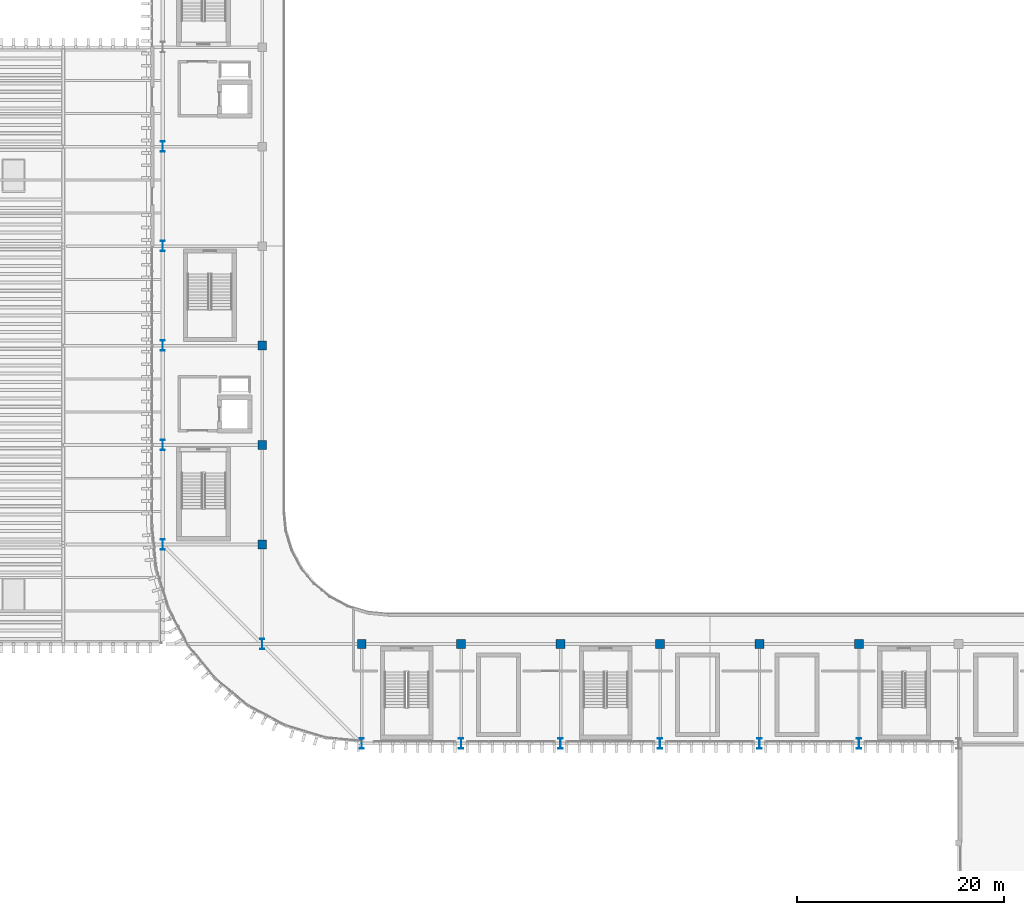
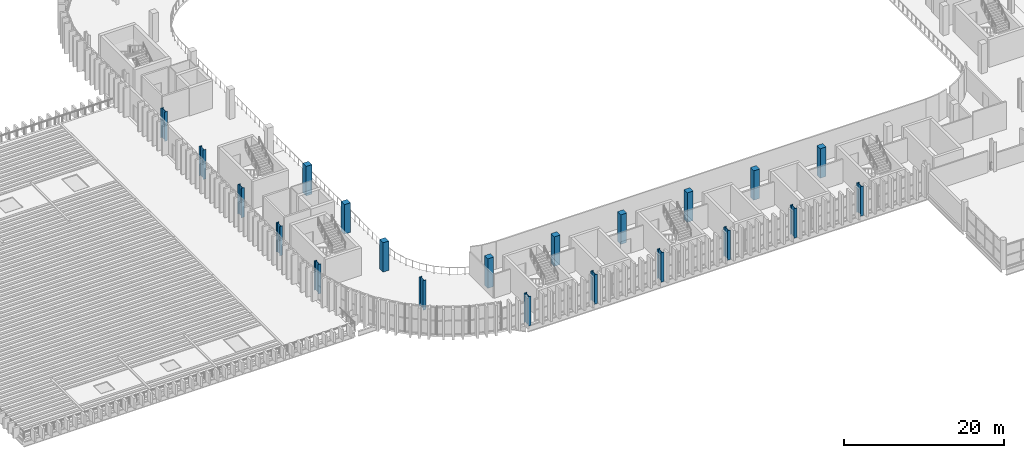
# One storey, part 1 of 92: 21 columns.
"""IFC4 building model written with IfcOpenShell, lengths in metres."""

from ifc_helpers import new_model, si_unit, direction, frame, origin, origin_2d, place, context, subcontext, project, spatial, rectangle, i_section, extrude, material, material_profile, profile_set, type_object, element, save


model = new_model("IFC4")

# Units and contexts
model_context = context("Model", 3, precision=1e-05, world=origin(), true_north=direction((0.0, 1.0)))
body_context = subcontext(model_context, "Body", "Model", "MODEL_VIEW")
ifc_project = project(units=[si_unit("LENGTHUNIT", "METRE"), si_unit("AREAUNIT", "SQUARE_METRE"), si_unit("VOLUMEUNIT", "CUBIC_METRE"), si_unit("PLANEANGLEUNIT", "RADIAN"), si_unit("MASSUNIT", "GRAM", prefix="KILO")], contexts=[model_context])

# Site, building, storey
site_placement = place(None, origin())
site = spatial("IfcSite", under=ifc_project, at=site_placement, CompositionType="ELEMENT")
building_placement = place(site_placement, origin())
building = spatial("IfcBuilding", under=site, at=building_placement, Name="Caelomonte Colonnade Arena", CompositionType="ELEMENT")
storey_placement = place(building_placement, frame((0.0, 0.0, 9.60009765625)))
storey = spatial("IfcBuildingStorey", under=building, at=storey_placement, Name="L02", CompositionType="ELEMENT", Elevation=9.60009765625)

# Columns
ifc_material_1 = material(Name="Concrete C50/60", Category="concrete")
ifc_material_profile_1 = material_profile(ifc_material_1, rectangle(XDim=0.85009765625, YDim=0.85009765625, at=origin_2d()), Name="RC850X850")
ifc_profile_set_1 = profile_set([ifc_material_profile_1], Name="Concrete C50/60")
column_type_1 = type_object("IfcColumnType", Name="STR-COL-RC85", PredefinedType="COLUMN", material=ifc_profile_set_1)
for number, where, z_axis, x_axis, name in (
    (1, (67.199951171875, 38.39990234375, 0.0), (0.0, 0.0, 1.0), (1.0, 0.0, 0.0), "L02 column (67.2, 38.4)"),
    (2, (67.199951171875, 48.0, 0.0), (0.0, 0.0, 1.0), (1.0, 0.0, 0.0), "L02 column (67.2, 48.0)"),
    (3, (67.199951171875, 57.60009765625, 0.0), (0.0, 0.0, 1.0), (1.0, 0.0, 0.0), "L02 column (67.2, 57.6)"),
    (4, (76.800048828125, 28.800048828125, 0.0), (0.0, 0.0, 1.0), (1.0, 0.0, 0.0), "L02 column (76.8, 28.8)"),
    (5, (86.39990234375, 28.800048828125, 0.0), (0.0, 0.0, 1.0), (1.0, 0.0, 0.0), "L02 column (86.4, 28.8)"),
    (6, (96.0, 28.800048828125, 0.0), (0.0, 0.0, 1.0), (1.0, 0.0, 0.0), "L02 column (96.0, 28.8)"),
    (7, (105.60009765625, 28.800048828125, 0.0), (0.0, 0.0, 1.0), (1.0, 0.0, 0.0), "L02 column (105.6, 28.8)"),
    (8, (115.199951171875, 28.800048828125, 0.0), (0.0, 0.0, 1.0), (1.0, 0.0, 0.0), "L02 column (115.2, 28.8)"),
    (9, (124.800048828125, 28.800048828125, 0.0), (0.0, 0.0, 1.0), (1.0, 0.0, 0.0), "L02 column (124.8, 28.8)"),
):
    element("IfcColumn", number, at=place(storey_placement, frame(where, z_axis=z_axis, x_axis=x_axis)), inside=storey, type_object=column_type_1, Name=name, PredefinedType="COLUMN", context=body_context, shape_type="SweptSolid", body=[
        extrude(rectangle(XDim=0.85009765625, YDim=0.85009765625, at=origin_2d()), origin(), (0.0, 0.0, 1.0), 4.5),
    ])
ifc_material_2 = material(Name="Wide-flange steel ASTM A992 Grade 50", Category="steel")
ifc_material_profile_2 = material_profile(ifc_material_2, i_section(OverallWidth=0.419189453125, OverallDepth=1.010986328125, WebThickness=0.023681640625, FlangeThickness=0.0419921875, FilletRadius=0.030517578125, at=origin_2d()), Name="W40X297")
ifc_profile_set_2 = profile_set([ifc_material_profile_2], Name="Wide-flange steel ASTM A992 Grade 50")
column_type_2 = type_object("IfcColumnType", Name="STR-COL-W40B", PredefinedType="COLUMN", material=ifc_profile_set_2)
for number, where, z_axis, x_axis, name in (
    (10, (57.60009765625, 38.39990234375, 0.0), (0.0, 0.0, 1.0), (1.0, 0.0, 0.0), "L02 column (57.6, 38.4)"),
    (11, (57.60009765625, 48.0, 0.0), (0.0, 0.0, 1.0), (1.0, 0.0, 0.0), "L02 column (57.6, 48.0)"),
    (12, (57.60009765625, 57.60009765625, 0.0), (0.0, 0.0, 1.0), (1.0, 0.0, 0.0), "L02 column (57.6, 57.6)"),
    (13, (57.60009765625, 67.199951171875, 0.0), (0.0, 0.0, 1.0), (1.0, 0.0, 0.0), "L02 column (57.6, 67.2)"),
    (14, (57.60009765625, 76.800048828125, 0.0), (0.0, 0.0, 1.0), (1.0, 0.0, 0.0), "L02 column (57.6, 76.8)"),
    (15, (67.199951171875, 28.800048828125, 0.0), (0.0, 0.0, 1.0), (1.0, 0.0, 0.0), "L02 column (67.2, 28.8)"),
    (16, (76.800048828125, 19.199951171875, 0.0), (0.0, 0.0, 1.0), (1.0, 0.0, 0.0), "L02 column (76.8, 19.2)"),
    (17, (86.39990234375, 19.199951171875, 0.0), (0.0, 0.0, 1.0), (1.0, 0.0, 0.0), "L02 column (86.4, 19.2)"),
    (18, (96.0, 19.199951171875, 0.0), (0.0, 0.0, 1.0), (1.0, 0.0, 0.0), "L02 column (96.0, 19.2)"),
    (19, (105.60009765625, 19.199951171875, 0.0), (0.0, 0.0, 1.0), (1.0, 0.0, 0.0), "L02 column (105.6, 19.2)"),
    (20, (115.199951171875, 19.199951171875, 0.0), (0.0, 0.0, 1.0), (1.0, 0.0, 0.0), "L02 column (115.2, 19.2)"),
    (21, (124.800048828125, 19.199951171875, 0.0), (0.0, 0.0, 1.0), (1.0, 0.0, 0.0), "L02 column (124.8, 19.2)"),
):
    element("IfcColumn", number, at=place(storey_placement, frame(where, z_axis=z_axis, x_axis=x_axis)), inside=storey, type_object=column_type_2, Name=name, PredefinedType="COLUMN", context=body_context, shape_type="SweptSolid", body=[
        extrude(i_section(OverallWidth=0.419189453125, OverallDepth=1.010986328125, WebThickness=0.023681640625, FlangeThickness=0.0419921875, FilletRadius=0.030517578125, at=origin_2d()), origin(), (0.0, 0.0, 1.0), 4.5),
    ])

save(model, "model.ifc")
